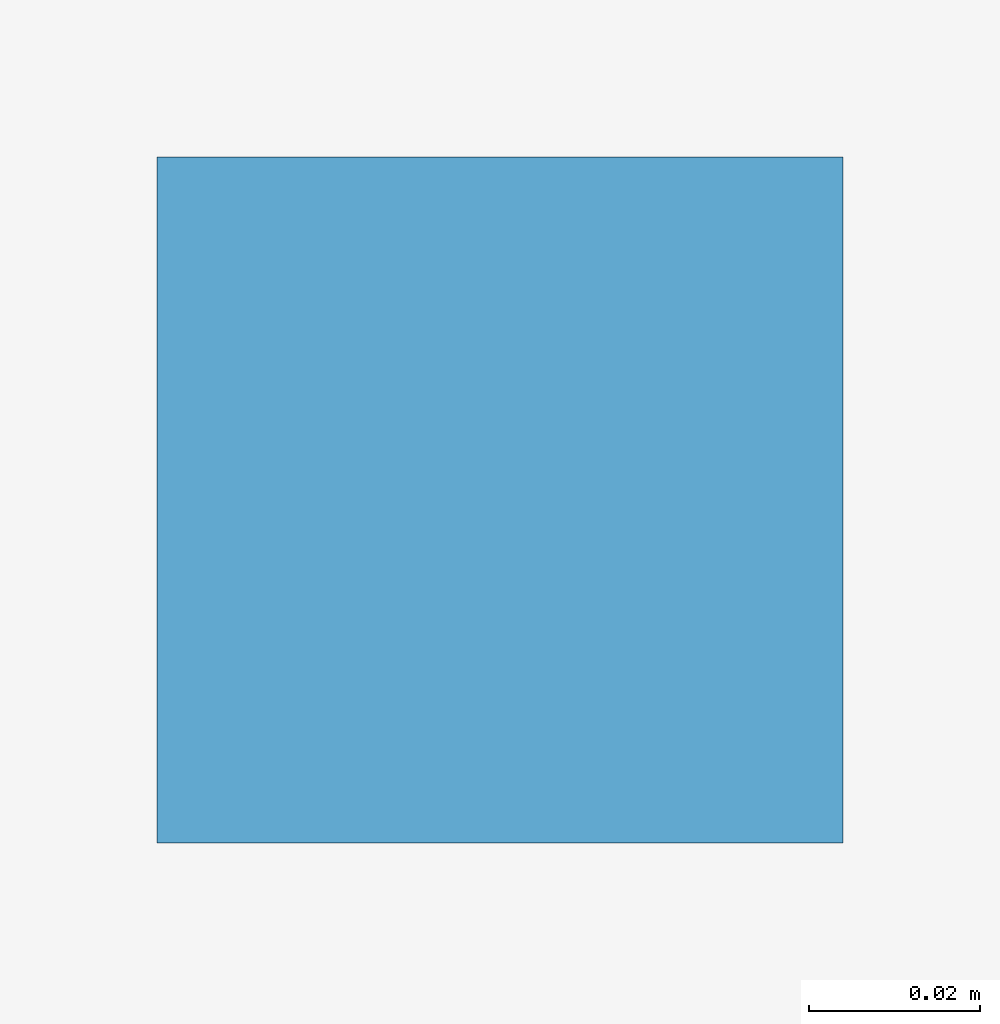
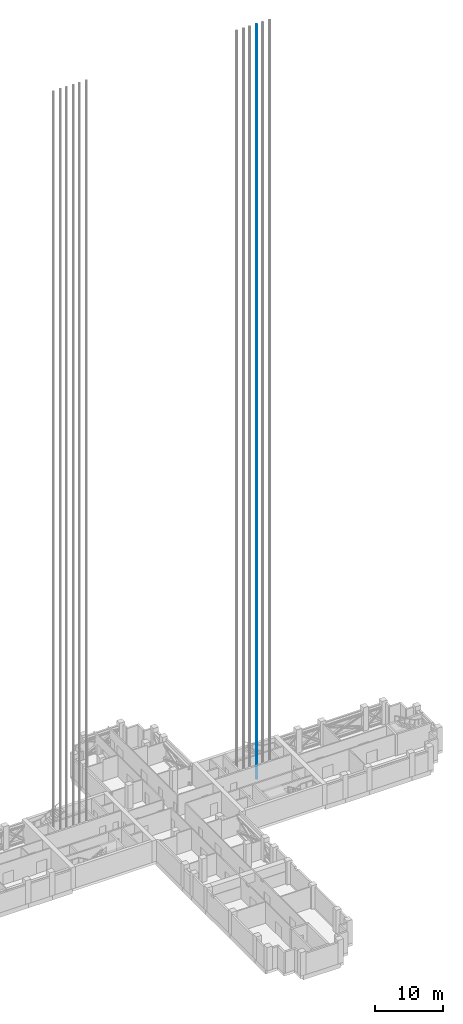
# One storey, part 19 of 22: 1 discrete accessory.
"""IFC4 building model written with IfcOpenShell, lengths in metres."""

from ifc_helpers import new_model, si_unit, direction, frame, origin, origin_2d, place, context, subcontext, project, spatial, rectangle, extrude, material, element, save


model = new_model("IFC4")

# Units and contexts
model_context = context("Model", 3, precision=1e-05, world=origin(), true_north=direction((0.0, 1.0)))
body_context = subcontext(model_context, "Body", "Model", "MODEL_VIEW")
ifc_project = project(units=[si_unit("LENGTHUNIT", "METRE"), si_unit("AREAUNIT", "SQUARE_METRE"), si_unit("VOLUMEUNIT", "CUBIC_METRE"), si_unit("PLANEANGLEUNIT", "RADIAN"), si_unit("MASSUNIT", "GRAM", prefix="KILO")], contexts=[model_context])

# Site, building, storey
site_placement = place(None, origin())
site = spatial("IfcSite", under=ifc_project, at=site_placement, CompositionType="ELEMENT")
building_placement = place(site_placement, origin())
building = spatial("IfcBuilding", under=site, at=building_placement, Name="Fustian Cross Tower", CompositionType="ELEMENT")
storey_placement = place(building_placement, frame((0.0, 0.0, 111.89990234375)))
storey = spatial("IfcBuildingStorey", under=building, at=storey_placement, Name="L35", CompositionType="ELEMENT", Elevation=111.89990234375)

# Discrete accessory
ifc_material = material(Name="Steel S355", Category="steel")
discrete_accessory_placement = place(storey_placement, frame((16.074951171875, 3.7099609375, 0.0), z_axis=(0.0, 0.0, 1.0), x_axis=(1.0, 0.0, 0.0)))
element("IfcDiscreteAccessory", 1, at=discrete_accessory_placement, inside=storey, material=ifc_material, Name="Lift guide rail HR2 2", PredefinedType="NOTDEFINED", context=body_context, shape_type="SweptSolid", body=[
    extrude(rectangle(XDim=0.080078125, YDim=0.080078125, at=origin_2d()), origin(), (0.0, 0.0, 1.0), 134.60009765625),
])

save(model, "model.ifc")
